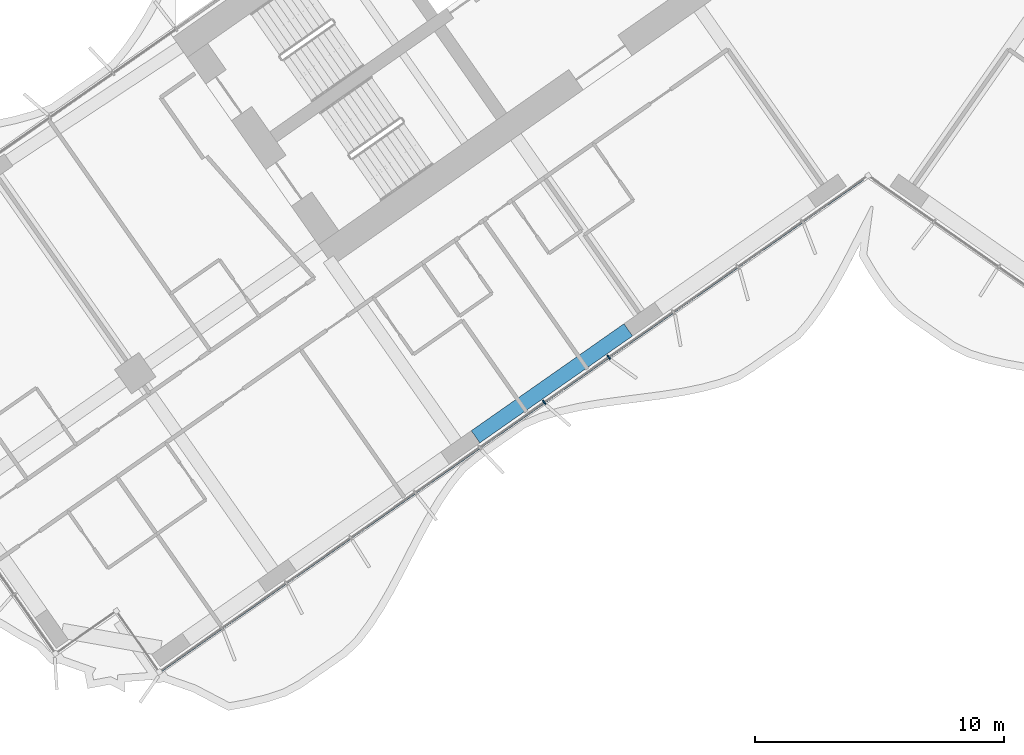
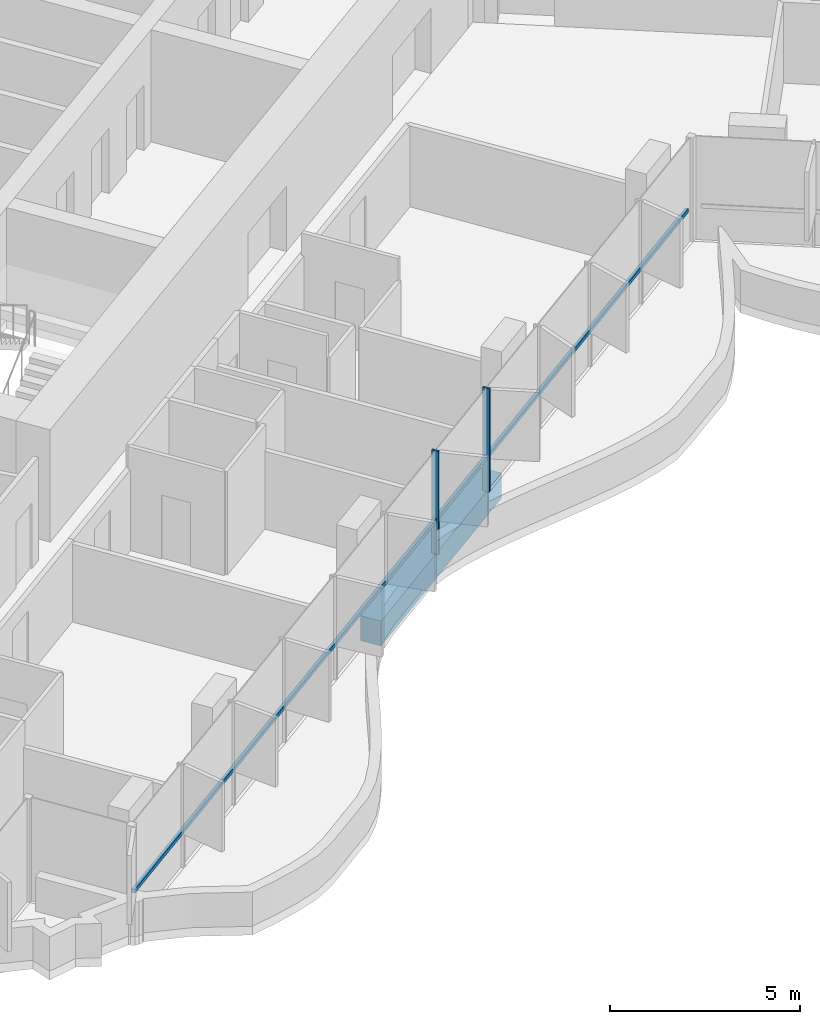
# One storey, part 3 of 23: 3 members, 1 beam, 1 element without a shape of its own.
"""IFC4 building model written with IfcOpenShell, lengths in metres."""

from ifc_helpers import new_model, si_unit, direction, frame, origin, origin_2d, place, context, subcontext, project, spatial, rectangle, extrude, material, material_profile, profile_set, type_object, element, aggregate, save


model = new_model("IFC4")

# Units and contexts
model_context = context("Model", 3, precision=1e-05, world=origin(), true_north=direction((0.0, 1.0)))
body_context = subcontext(model_context, "Body", "Model", "MODEL_VIEW")
ifc_project = project(units=[si_unit("LENGTHUNIT", "METRE"), si_unit("AREAUNIT", "SQUARE_METRE"), si_unit("VOLUMEUNIT", "CUBIC_METRE"), si_unit("PLANEANGLEUNIT", "RADIAN"), si_unit("MASSUNIT", "GRAM", prefix="KILO")], contexts=[model_context])

# Site, building, storey
site_placement = place(None, origin())
site = spatial("IfcSite", under=ifc_project, at=site_placement, CompositionType="ELEMENT")
building_placement = place(site_placement, origin())
building = spatial("IfcBuilding", under=site, at=building_placement, Name="Tel Ilan Convention Tower", CompositionType="ELEMENT")
storey_placement = place(building_placement, frame((0.0, 0.0, 104.89990234375)))
storey = spatial("IfcBuildingStorey", under=building, at=storey_placement, Name="L22", CompositionType="ELEMENT", Elevation=104.89990234375)

# Beam
ifc_material_1 = material(Name="Concrete C40/50", Category="concrete")
ifc_material_profile_1 = material_profile(ifc_material_1, rectangle(XDim=0.60009765625, YDim=0.800048828125, at=origin_2d()), Name="RC 600x800")
ifc_profile_set_1 = profile_set([ifc_material_profile_1], Name="Concrete C40/50")
beam_type = type_object("IfcBeamType", Name="Beam RC 600x800 Concrete C40/50", PredefinedType="BEAM", material=ifc_profile_set_1)
beam_placement = place(storey_placement, frame((-9.652099609375, -18.905029296875, -0.679931640625), z_axis=(-0.81915238829, -0.573575945067, 0.0), x_axis=(0.573575945067, -0.81915238829, 0.0)))
element("IfcBeam", 1, at=beam_placement, inside=storey, type_object=beam_type, Name="L22 beam W-W-F2-W-F3", PredefinedType="BEAM", context=body_context, shape_type="SweptSolid", body=[
    extrude(rectangle(XDim=0.60009765625, YDim=0.800048828125, at=origin_2d()), origin(), (0.0, 0.0, 1.0), 7.5),
])

# Curtain wall, members
ifc_material_2 = material(Name="Aluminium, bronze anodised", Category="aluminium")
curtain_wall_type = type_object("IfcCurtainWallType", Name="CW1 UNITISED CURTAIN WALL, HOTEL TINTED GLASS", PredefinedType="NOTDEFINED", material=ifc_material_2)
curtain_wall_placement = place(storey_placement, origin())
curtain_wall = element("IfcCurtainWall", 2, at=curtain_wall_placement, inside=storey, type_object=curtain_wall_type, Name="Curtain wall CW1-19.02", PredefinedType="NOTDEFINED")
ifc_material_3 = material(Name="Aluminium, bronze anodised", Category="aluminium")
ifc_material_profile_2 = material_profile(ifc_material_3, rectangle(XDim=0.06005859375, YDim=0.199951171875, at=origin_2d()), Name="CW MULLION 60x200")
ifc_profile_set_2 = profile_set([ifc_material_profile_2], Name="Aluminium, bronze anodised")
member_type_1 = type_object("IfcMemberType", Name="CW MULLION 60x200", PredefinedType="MULLION", material=ifc_profile_set_2)
member_1_placement = place(storey_placement, frame((-13.03271484375, -21.821533203125, 0.0), z_axis=(0.0, 0.0, 1.0), x_axis=(0.819152044289, 0.573576436351, 0.0)))
member_1 = element("IfcMember", 3, at=member_1_placement, type_object=member_type_1, Name="Mullion", PredefinedType="MULLION", context=body_context, shape_type="SweptSolid", body=[
    extrude(rectangle(XDim=0.06005859375, YDim=0.199951171875, at=origin_2d()), origin(), (0.0, 0.0, 1.0), 3.320068359375),
])
member_2_placement = place(storey_placement, frame((-10.4375, -20.004638671875, 0.0), z_axis=(0.0, 0.0, 1.0), x_axis=(0.819152044289, 0.573576436351, 0.0)))
member_2 = element("IfcMember", 4, at=member_2_placement, type_object=member_type_1, Name="Mullion", PredefinedType="MULLION", context=body_context, shape_type="SweptSolid", body=[
    extrude(rectangle(XDim=0.06005859375, YDim=0.199951171875, at=origin_2d()), origin(), (0.0, 0.0, 1.0), 3.320068359375),
])
ifc_material_4 = material(Name="Aluminium, bronze anodised", Category="aluminium")
ifc_material_profile_3 = material_profile(ifc_material_4, rectangle(XDim=0.10009765625, YDim=0.1201171875, at=origin_2d()), Name="CW TRANSOM 100x120")
ifc_profile_set_3 = profile_set([ifc_material_profile_3], Name="Aluminium, bronze anodised")
member_type_2 = type_object("IfcMemberType", Name="CW TRANSOM 100x120", PredefinedType="USERDEFINED", material=ifc_profile_set_3)
member_3_placement = place(storey_placement, frame((-28.439208984375, -32.609375, 1.10009765625), z_axis=(0.819151003602, 0.573577922604, 0.0), x_axis=(-0.573577922604, 0.819151003602, 0.0)))
member_3 = element("IfcMember", 5, at=member_3_placement, type_object=member_type_2, Name="Transom", ObjectType="TRANSOM", PredefinedType="USERDEFINED", context=body_context, shape_type="SweptSolid", body=[
    extrude(rectangle(XDim=0.10009765625, YDim=0.1201171875, at=origin_2d()), origin(), (0.0, 0.0, 1.0), 34.447998046875),
])
aggregate(curtain_wall, [member_1, member_2, member_3])

save(model, "model.ifc")
